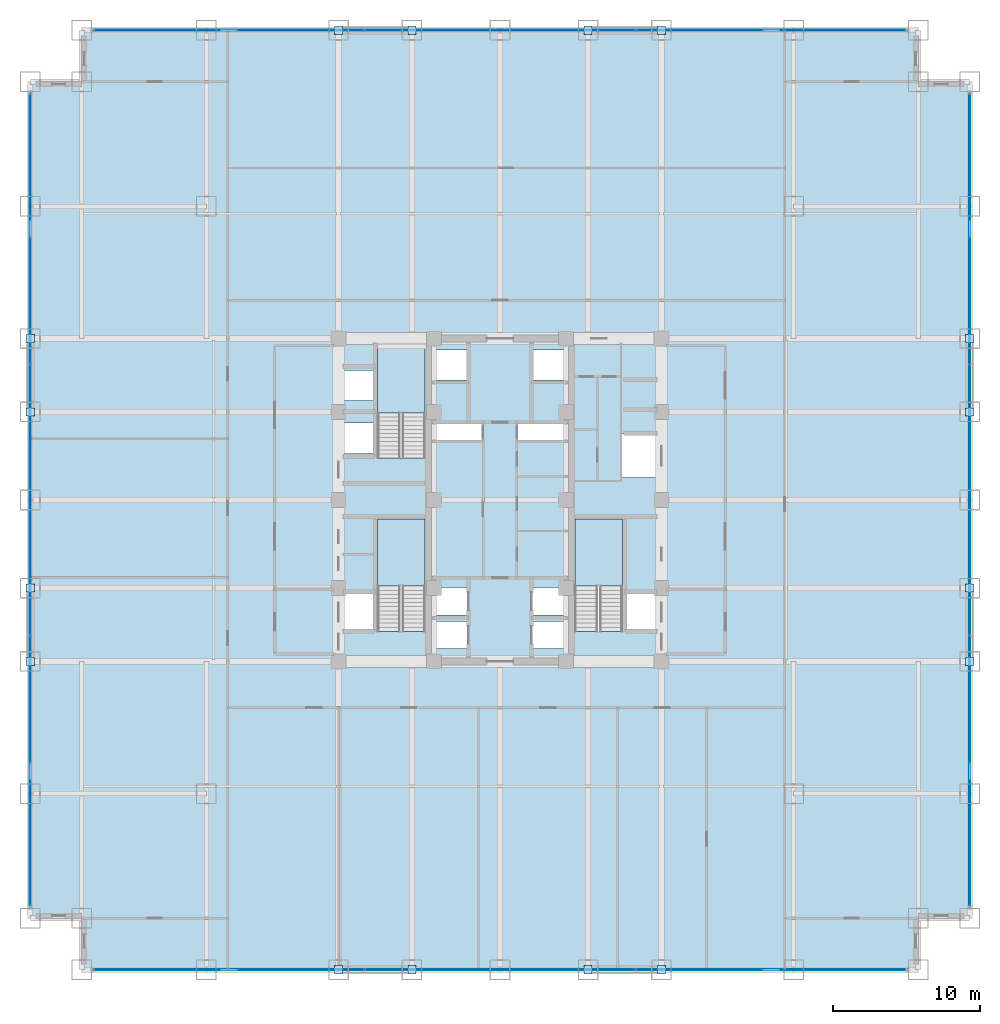
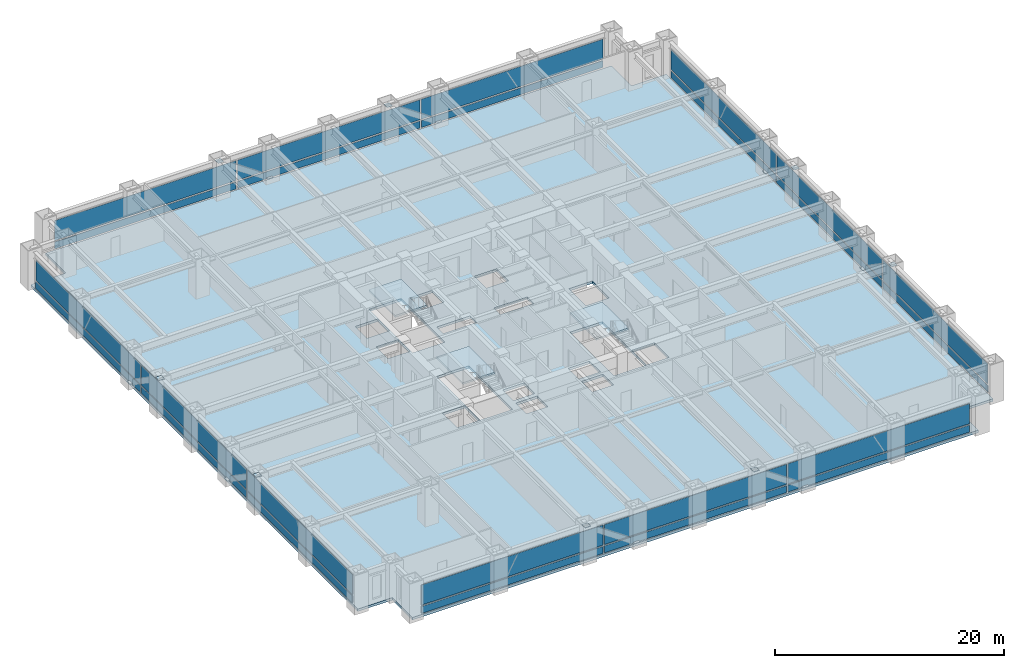
# One storey, part 22 of 27: 40 plates, 4 slabs, 7 elements without a shape of their own.
"""IFC4 building model written with IfcOpenShell, lengths in metres."""

from ifc_helpers import new_model, si_unit, direction, frame, origin, origin_2d, place, context, subcontext, project, spatial, polyline, rectangle, outline, extrude, source, transform, mapped, material, layer, layer_set, type_object, element, aggregate, save


model = new_model("IFC4")

# Units and contexts
model_context = context("Model", 3, precision=1e-05, world=origin(), true_north=direction((0.0, 1.0)))
body_context = subcontext(model_context, "Body", "Model", "MODEL_VIEW")
ifc_project = project(units=[si_unit("LENGTHUNIT", "METRE"), si_unit("AREAUNIT", "SQUARE_METRE"), si_unit("VOLUMEUNIT", "CUBIC_METRE"), si_unit("PLANEANGLEUNIT", "RADIAN"), si_unit("MASSUNIT", "GRAM", prefix="KILO")], contexts=[model_context])

# Site, building, storey
site_placement = place(None, origin())
site = spatial("IfcSite", under=ifc_project, at=site_placement, CompositionType="ELEMENT")
building_placement = place(site_placement, origin())
building = spatial("IfcBuilding", under=site, at=building_placement, Name="Khorayat Bourse Tower", CompositionType="ELEMENT")
storey_placement = place(building_placement, frame((0.0, 0.0, 45.199951171875)))
storey = spatial("IfcBuildingStorey", under=building, at=storey_placement, Name="L09", CompositionType="ELEMENT", Elevation=45.199951171875)

# Stair, slab
ifc_material_1 = material(Name="Concrete C40/50", Category="concrete")
stair_type = type_object("IfcStairType", Name="STR-CORE-1550", PredefinedType="HALF_TURN_STAIR", material=ifc_material_1)
stair_1_placement = place(storey_placement, origin())
stair_1 = element("IfcStair", 1, at=stair_1_placement, inside=storey, type_object=stair_type, Name="L09 Exit Stair ST-1", PredefinedType="HALF_TURN_STAIR")
ifc_layer_1 = layer(ifc_material_1, 0.199951171875)
ifc_layer_set_1 = layer_set([ifc_layer_1], Name="Concrete C40/50")
slab_type_1 = type_object("IfcSlabType", Name="SLB-LANDING-200", PredefinedType="LANDING", material=ifc_layer_set_1)
slab_1_placement = place(storey_placement, frame((0.0, 0.0, 1.900146484375)))
slab_1 = element("IfcSlab", 2, at=slab_1_placement, type_object=slab_type_1, Name="ST-1 landing 1", PredefinedType="LANDING", context=body_context, shape_type="SweptSolid", body=[
    extrude(outline(polyline([(-5.10009765625, -5.8701171875), (-5.10009765625, -1.300048828125), (-8.35009765625, -1.300048828125), (-8.35009765625, -5.8701171875), (-5.10009765625, -5.8701171875)])), origin(), (0.0, 0.0, 1.0), 0.199951171875),
])
aggregate(stair_1, [slab_1])

stair_2_placement = place(storey_placement, origin())
stair_2 = element("IfcStair", 3, at=stair_2_placement, inside=storey, type_object=stair_type, Name="L09 Exit Stair ST-2", PredefinedType="HALF_TURN_STAIR")
slab_2_placement = place(storey_placement, frame((0.0, 0.0, 1.900146484375)))
slab_2 = element("IfcSlab", 4, at=slab_2_placement, type_object=slab_type_1, Name="ST-2 landing 1", PredefinedType="LANDING", context=body_context, shape_type="SweptSolid", body=[
    extrude(outline(polyline([(-5.10009765625, 5.929931640625), (-5.10009765625, 10.5), (-8.35009765625, 10.5), (-8.35009765625, 5.929931640625), (-5.10009765625, 5.929931640625)])), origin(), (0.0, 0.0, 1.0), 0.199951171875),
])
aggregate(stair_2, [slab_2])

stair_3_placement = place(storey_placement, origin())
stair_3 = element("IfcStair", 5, at=stair_3_placement, inside=storey, type_object=stair_type, Name="L09 Exit Stair ST-3", PredefinedType="HALF_TURN_STAIR")
slab_3_placement = place(storey_placement, frame((0.0, 0.0, 1.900146484375)))
slab_3 = element("IfcSlab", 6, at=slab_3_placement, type_object=slab_type_1, Name="ST-3 landing 1", PredefinedType="LANDING", context=body_context, shape_type="SweptSolid", body=[
    extrude(outline(polyline([(8.35009765625, -5.8701171875), (8.35009765625, -1.300048828125), (5.10009765625, -1.300048828125), (5.10009765625, -5.8701171875), (8.35009765625, -5.8701171875)])), origin(), (0.0, 0.0, 1.0), 0.199951171875),
])
aggregate(stair_3, [slab_3])

# Slab
ifc_layer_2 = layer(ifc_material_1, 0.260009765625)
ifc_layer_set_2 = layer_set([ifc_layer_2], Name="Concrete C40/50")
slab_type_2 = type_object("IfcSlabType", Name="SLB-TRADE-260", PredefinedType="FLOOR", material=ifc_layer_set_2)
slab_4_placement = place(storey_placement, frame((0.0, 0.0, -0.260009765625)))
element("IfcSlab", 7, at=slab_4_placement, inside=storey, type_object=slab_type_2, Name="L09 Main Floor Slab", PredefinedType="FLOOR", context=body_context, shape_type="SweptSolid", body=[
    extrude(outline(polyline([(-28.5, -32.0), (28.5, -32.0), (28.5, -28.5), (32.0, -28.5), (32.0, 28.5), (28.5, 28.5), (28.5, 32.0), (-28.5, 32.0), (-28.5, 28.5), (-32.0, 28.5), (-32.0, -28.5), (-28.5, -28.5), (-28.5, -32.0)]), holes=[polyline([(-8.35009765625, -8.945068359375), (-5.10009765625, -8.945068359375), (-5.10009765625, -1.300048828125), (-8.35009765625, -1.300048828125), (-8.35009765625, -8.945068359375)]), polyline([(-8.35009765625, 2.85498046875), (-5.10009765625, 2.85498046875), (-5.10009765625, 10.5), (-8.35009765625, 10.5), (-8.35009765625, 2.85498046875)]), polyline([(5.10009765625, -8.945068359375), (8.35009765625, -8.945068359375), (8.35009765625, -1.300048828125), (5.10009765625, -1.300048828125), (5.10009765625, -8.945068359375)]), polyline([(-4.3798828125, -10.1298828125), (-2.219970703125, -10.1298828125), (-2.219970703125, -8.27001953125), (-4.3798828125, -8.27001953125), (-4.3798828125, -10.1298828125)]), polyline([(2.219970703125, -10.1298828125), (4.3798828125, -10.1298828125), (4.3798828125, -8.27001953125), (2.219970703125, -8.27001953125), (2.219970703125, -10.1298828125)]), polyline([(-4.3798828125, -7.830078125), (-2.219970703125, -7.830078125), (-2.219970703125, -5.969970703125), (-4.3798828125, -5.969970703125), (-4.3798828125, -7.830078125)]), polyline([(2.219970703125, -7.830078125), (4.3798828125, -7.830078125), (4.3798828125, -5.969970703125), (2.219970703125, -5.969970703125), (2.219970703125, -7.830078125)]), polyline([(-4.3798828125, 8.169921875), (-2.1201171875, 8.169921875), (-2.1201171875, 10.22998046875), (-4.3798828125, 10.22998046875), (-4.3798828125, 8.169921875)]), polyline([(2.1201171875, 8.169921875), (4.3798828125, 8.169921875), (4.3798828125, 10.22998046875), (2.1201171875, 10.22998046875), (2.1201171875, 8.169921875)]), polyline([(-10.679931640625, 3.169921875), (-8.419921875, 3.169921875), (-8.419921875, 5.22998046875), (-10.679931640625, 5.22998046875), (-10.679931640625, 3.169921875)]), polyline([(-10.679931640625, 6.77001953125), (-8.419921875, 6.77001953125), (-8.419921875, 8.830078125), (-10.679931640625, 8.830078125), (-10.679931640625, 6.77001953125)]), polyline([(-10.679931640625, -8.929931640625), (-8.419921875, -8.929931640625), (-8.419921875, -6.3701171875), (-10.679931640625, -6.3701171875), (-10.679931640625, -8.929931640625)]), polyline([(8.419921875, -8.929931640625), (10.679931640625, -8.929931640625), (10.679931640625, -6.3701171875), (8.419921875, -6.3701171875), (8.419921875, -8.929931640625)]), polyline([(8.320068359375, 1.52001953125), (10.679931640625, 1.52001953125), (10.679931640625, 4.47998046875), (8.320068359375, 4.47998046875), (8.320068359375, 1.52001953125)]), polyline([(-4.56005859375, 4.080078125), (-1.18994140625, 4.080078125), (-1.18994140625, 5.219970703125), (-4.56005859375, 5.219970703125), (-4.56005859375, 4.080078125)]), polyline([(1.18994140625, 4.080078125), (4.56005859375, 4.080078125), (4.56005859375, 5.219970703125), (1.18994140625, 5.219970703125), (1.18994140625, 4.080078125)])]), origin(), (0.0, 0.0, 1.0), 0.260009765625),
])

# Plates
ifc_material_2 = material(Name="Steel EN 10025-2 S355J2", Category="steel")
ifc_layer_3 = layer(ifc_material_2, 0.02490234375)
ifc_layer_set_3 = layer_set([ifc_layer_3], Name="Steel EN 10025-2 S355J2")
plate_type_1 = type_object("IfcPlateType", Name="PLT-ENDCAP-25", PredefinedType="SHEET", material=ifc_layer_set_3)
shared_shape_1 = source(origin(), body_context, "Body", "SweptSolid", [
    extrude(rectangle(XDim=0.56005859375, YDim=0.56005859375, at=origin_2d()), origin(), (0.0, 0.0, 1.0), 0.02490234375),
])
for number, where, z_axis, x_axis, name in (
    (8, (-11.0, -32.0, 3.677490234375), (0.0, 0.0, 1.0), (1.0, 0.0, 0.0), "L09 Perimeter Brace End Plate 001"),
    (9, (-6.0, -32.0, 0.237548828125), (0.0, 0.0, 1.0), (1.0, 0.0, 0.0), "L09 Perimeter Brace End Plate 002"),
    (10, (6.0, -32.0, 3.677490234375), (0.0, 0.0, 1.0), (1.0, 0.0, 0.0), "L09 Perimeter Brace End Plate 003"),
    (11, (11.0, -32.0, 0.237548828125), (0.0, 0.0, 1.0), (1.0, 0.0, 0.0), "L09 Perimeter Brace End Plate 004"),
    (12, (-11.0, 32.0, 3.677490234375), (0.0, 0.0, 1.0), (1.0, 0.0, 0.0), "L09 Perimeter Brace End Plate 005"),
    (13, (-6.0, 32.0, 0.237548828125), (0.0, 0.0, 1.0), (1.0, 0.0, 0.0), "L09 Perimeter Brace End Plate 006"),
    (14, (6.0, 32.0, 3.677490234375), (0.0, 0.0, 1.0), (1.0, 0.0, 0.0), "L09 Perimeter Brace End Plate 007"),
    (15, (11.0, 32.0, 0.237548828125), (0.0, 0.0, 1.0), (1.0, 0.0, 0.0), "L09 Perimeter Brace End Plate 008"),
    (16, (-32.0, -11.0, 3.677490234375), (0.0, 0.0, 1.0), (1.0, 0.0, 0.0), "L09 Perimeter Brace End Plate 009"),
    (17, (-32.0, -6.0, 0.237548828125), (0.0, 0.0, 1.0), (1.0, 0.0, 0.0), "L09 Perimeter Brace End Plate 010"),
    (18, (-32.0, 6.0, 3.677490234375), (0.0, 0.0, 1.0), (1.0, 0.0, 0.0), "L09 Perimeter Brace End Plate 011"),
    (19, (-32.0, 11.0, 0.237548828125), (0.0, 0.0, 1.0), (1.0, 0.0, 0.0), "L09 Perimeter Brace End Plate 012"),
    (20, (32.0, -11.0, 3.677490234375), (0.0, 0.0, 1.0), (1.0, 0.0, 0.0), "L09 Perimeter Brace End Plate 013"),
    (21, (32.0, -6.0, 0.237548828125), (0.0, 0.0, 1.0), (1.0, 0.0, 0.0), "L09 Perimeter Brace End Plate 014"),
    (22, (32.0, 6.0, 3.677490234375), (0.0, 0.0, 1.0), (1.0, 0.0, 0.0), "L09 Perimeter Brace End Plate 015"),
    (23, (32.0, 11.0, 0.237548828125), (0.0, 0.0, 1.0), (1.0, 0.0, 0.0), "L09 Perimeter Brace End Plate 016"),
):
    element("IfcPlate", number, at=place(storey_placement, frame(where, z_axis=z_axis, x_axis=x_axis)), inside=storey, type_object=plate_type_1, Name=name, PredefinedType="SHEET", context=body_context, shape_type="MappedRepresentation", body=[
        mapped(shared_shape_1, transform((0.0, 0.0, 0.0), scale=1.0)),
    ])

# Curtain wall, plates
ifc_material_3 = material(Name="Aluminium EN AW-6063 T6", Category="aluminium")
curtain_wall_type = type_object("IfcCurtainWallType", Name="CW-SYS-02", PredefinedType="NOTDEFINED", material=ifc_material_3)
curtain_wall_1_placement = place(storey_placement, origin())
curtain_wall_1 = element("IfcCurtainWall", 24, at=curtain_wall_1_placement, inside=storey, type_object=curtain_wall_type, Name="L09 Curtain Wall CW-L09-S1", PredefinedType="NOTDEFINED")
ifc_material_4 = material(Name="Honed desert limestone insulated spandrel", Category="masonry")
ifc_layer_4 = layer(ifc_material_4, 0.06494140625)
ifc_layer_set_4 = layer_set([ifc_layer_4], Name="Honed desert limestone insulated spandrel")
plate_type_2 = type_object("IfcPlateType", Name="CWP-SPAND-03", PredefinedType="CURTAIN_PANEL", material=ifc_layer_set_4)
shared_shape_2 = source(origin(), body_context, "Body", "SweptSolid", [
    extrude(rectangle(XDim=18.2900390625, YDim=0.06494140625, at=origin_2d()), origin(), (0.0, 0.0, 1.0), 0.739990234375),
])
plate_1_placement = place(storey_placement, frame((-18.465087890625, -32.0, 0.14013671875), z_axis=(0.0, 0.0, 1.0), x_axis=(1.0, 0.0, 0.0)))
plate_1 = element("IfcPlate", 25, at=plate_1_placement, type_object=plate_type_2, Name="CW-L09-S1 Spandrel Panel 1-1", PredefinedType="CURTAIN_PANEL", context=body_context, shape_type="MappedRepresentation", body=[
    mapped(shared_shape_2, transform((0.0, 0.0, 0.0), scale=1.0)),
])
plate_2_placement = place(storey_placement, frame((18.465087890625, -32.0, 0.14013671875), z_axis=(0.0, 0.0, 1.0), x_axis=(1.0, 0.0, 0.0)))
plate_2 = element("IfcPlate", 26, at=plate_2_placement, type_object=plate_type_2, Name="CW-L09-S1 Spandrel Panel 3-1", PredefinedType="CURTAIN_PANEL", context=body_context, shape_type="MappedRepresentation", body=[
    mapped(shared_shape_2, transform((0.0, 0.0, 0.0), scale=1.0)),
])

curtain_wall_2_placement = place(storey_placement, origin())
curtain_wall_2 = element("IfcCurtainWall", 27, at=curtain_wall_2_placement, inside=storey, type_object=curtain_wall_type, Name="L09 Curtain Wall CW-L09-N1", PredefinedType="NOTDEFINED")
plate_3_placement = place(storey_placement, frame((-18.465087890625, 32.0, 0.14013671875), z_axis=(0.0, 0.0, 1.0), x_axis=(1.0, 0.0, 0.0)))
plate_3 = element("IfcPlate", 28, at=plate_3_placement, type_object=plate_type_2, Name="CW-L09-N1 Spandrel Panel 1-1", PredefinedType="CURTAIN_PANEL", context=body_context, shape_type="MappedRepresentation", body=[
    mapped(shared_shape_2, transform((0.0, 0.0, 0.0), scale=1.0)),
])
plate_4_placement = place(storey_placement, frame((18.465087890625, 32.0, 0.14013671875), z_axis=(0.0, 0.0, 1.0), x_axis=(1.0, 0.0, 0.0)))
plate_4 = element("IfcPlate", 29, at=plate_4_placement, type_object=plate_type_2, Name="CW-L09-N1 Spandrel Panel 3-1", PredefinedType="CURTAIN_PANEL", context=body_context, shape_type="MappedRepresentation", body=[
    mapped(shared_shape_2, transform((0.0, 0.0, 0.0), scale=1.0)),
])

curtain_wall_3_placement = place(storey_placement, origin())
curtain_wall_3 = element("IfcCurtainWall", 30, at=curtain_wall_3_placement, inside=storey, type_object=curtain_wall_type, Name="L09 Curtain Wall CW-L09-W1", PredefinedType="NOTDEFINED")
plate_5_placement = place(storey_placement, frame((-32.0, -18.465087890625, 0.14013671875), z_axis=(0.0, 0.0, 1.0), x_axis=(0.0, 1.0, 0.0)))
plate_5 = element("IfcPlate", 31, at=plate_5_placement, type_object=plate_type_2, Name="CW-L09-W1 Spandrel Panel 1-1", PredefinedType="CURTAIN_PANEL", context=body_context, shape_type="MappedRepresentation", body=[
    mapped(shared_shape_2, transform((0.0, 0.0, 0.0), scale=1.0)),
])
plate_6_placement = place(storey_placement, frame((-32.0, 18.465087890625, 0.14013671875), z_axis=(0.0, 0.0, 1.0), x_axis=(0.0, 1.0, 0.0)))
plate_6 = element("IfcPlate", 32, at=plate_6_placement, type_object=plate_type_2, Name="CW-L09-W1 Spandrel Panel 3-1", PredefinedType="CURTAIN_PANEL", context=body_context, shape_type="MappedRepresentation", body=[
    mapped(shared_shape_2, transform((0.0, 0.0, 0.0), scale=1.0)),
])

curtain_wall_4_placement = place(storey_placement, origin())
curtain_wall_4 = element("IfcCurtainWall", 33, at=curtain_wall_4_placement, inside=storey, type_object=curtain_wall_type, Name="L09 Curtain Wall CW-L09-E1", PredefinedType="NOTDEFINED")
plate_7_placement = place(storey_placement, frame((32.0, -18.465087890625, 0.14013671875), z_axis=(0.0, 0.0, 1.0), x_axis=(0.0, 1.0, 0.0)))
plate_7 = element("IfcPlate", 34, at=plate_7_placement, type_object=plate_type_2, Name="CW-L09-E1 Spandrel Panel 1-1", PredefinedType="CURTAIN_PANEL", context=body_context, shape_type="MappedRepresentation", body=[
    mapped(shared_shape_2, transform((0.0, 0.0, 0.0), scale=1.0)),
])
plate_8_placement = place(storey_placement, frame((32.0, 18.465087890625, 0.14013671875), z_axis=(0.0, 0.0, 1.0), x_axis=(0.0, 1.0, 0.0)))
plate_8 = element("IfcPlate", 35, at=plate_8_placement, type_object=plate_type_2, Name="CW-L09-E1 Spandrel Panel 3-1", PredefinedType="CURTAIN_PANEL", context=body_context, shape_type="MappedRepresentation", body=[
    mapped(shared_shape_2, transform((0.0, 0.0, 0.0), scale=1.0)),
])

# Plate
ifc_material_5 = material(Name="Low-E solar-control laminated double glazing", Category="glass")
ifc_layer_5 = layer(ifc_material_5, 0.0419921875)
ifc_layer_set_5 = layer_set([ifc_layer_5], Name="Low-E solar-control laminated double glazing")
plate_type_3 = type_object("IfcPlateType", Name="CWP-FACET-02", PredefinedType="CURTAIN_PANEL", material=ifc_layer_set_5)
shared_shape_3 = source(origin(), body_context, "Body", "SweptSolid", [
    extrude(rectangle(XDim=18.2900390625, YDim=0.0419921875, at=origin_2d()), origin(), (0.0, 0.0, 1.0), 2.1298828125),
])
plate_9_placement = place(storey_placement, frame((-18.465087890625, -32.0, 1.02001953125), z_axis=(0.0, 0.0, 1.0), x_axis=(1.0, 0.0, 0.0)))
plate_9 = element("IfcPlate", 36, at=plate_9_placement, type_object=plate_type_3, Name="CW-L09-S1 Vision Panel 1-2", PredefinedType="CURTAIN_PANEL", context=body_context, shape_type="MappedRepresentation", body=[
    mapped(shared_shape_3, transform((0.0, 0.0, 0.0), scale=1.0)),
])

plate_10_placement = place(storey_placement, frame((18.465087890625, -32.0, 1.02001953125), z_axis=(0.0, 0.0, 1.0), x_axis=(1.0, 0.0, 0.0)))
plate_10 = element("IfcPlate", 37, at=plate_10_placement, type_object=plate_type_3, Name="CW-L09-S1 Vision Panel 3-2", PredefinedType="CURTAIN_PANEL", context=body_context, shape_type="MappedRepresentation", body=[
    mapped(shared_shape_3, transform((0.0, 0.0, 0.0), scale=1.0)),
])

plate_11_placement = place(storey_placement, frame((-18.465087890625, 32.0, 1.02001953125), z_axis=(0.0, 0.0, 1.0), x_axis=(1.0, 0.0, 0.0)))
plate_11 = element("IfcPlate", 38, at=plate_11_placement, type_object=plate_type_3, Name="CW-L09-N1 Vision Panel 1-2", PredefinedType="CURTAIN_PANEL", context=body_context, shape_type="MappedRepresentation", body=[
    mapped(shared_shape_3, transform((0.0, 0.0, 0.0), scale=1.0)),
])

plate_12_placement = place(storey_placement, frame((18.465087890625, 32.0, 1.02001953125), z_axis=(0.0, 0.0, 1.0), x_axis=(1.0, 0.0, 0.0)))
plate_12 = element("IfcPlate", 39, at=plate_12_placement, type_object=plate_type_3, Name="CW-L09-N1 Vision Panel 3-2", PredefinedType="CURTAIN_PANEL", context=body_context, shape_type="MappedRepresentation", body=[
    mapped(shared_shape_3, transform((0.0, 0.0, 0.0), scale=1.0)),
])

plate_13_placement = place(storey_placement, frame((-32.0, -18.465087890625, 1.02001953125), z_axis=(0.0, 0.0, 1.0), x_axis=(0.0, 1.0, 0.0)))
plate_13 = element("IfcPlate", 40, at=plate_13_placement, type_object=plate_type_3, Name="CW-L09-W1 Vision Panel 1-2", PredefinedType="CURTAIN_PANEL", context=body_context, shape_type="MappedRepresentation", body=[
    mapped(shared_shape_3, transform((0.0, 0.0, 0.0), scale=1.0)),
])

plate_14_placement = place(storey_placement, frame((-32.0, 18.465087890625, 1.02001953125), z_axis=(0.0, 0.0, 1.0), x_axis=(0.0, 1.0, 0.0)))
plate_14 = element("IfcPlate", 41, at=plate_14_placement, type_object=plate_type_3, Name="CW-L09-W1 Vision Panel 3-2", PredefinedType="CURTAIN_PANEL", context=body_context, shape_type="MappedRepresentation", body=[
    mapped(shared_shape_3, transform((0.0, 0.0, 0.0), scale=1.0)),
])

plate_15_placement = place(storey_placement, frame((32.0, -18.465087890625, 1.02001953125), z_axis=(0.0, 0.0, 1.0), x_axis=(0.0, 1.0, 0.0)))
plate_15 = element("IfcPlate", 42, at=plate_15_placement, type_object=plate_type_3, Name="CW-L09-E1 Vision Panel 1-2", PredefinedType="CURTAIN_PANEL", context=body_context, shape_type="MappedRepresentation", body=[
    mapped(shared_shape_3, transform((0.0, 0.0, 0.0), scale=1.0)),
])

plate_16_placement = place(storey_placement, frame((32.0, 18.465087890625, 1.02001953125), z_axis=(0.0, 0.0, 1.0), x_axis=(0.0, 1.0, 0.0)))
plate_16 = element("IfcPlate", 43, at=plate_16_placement, type_object=plate_type_3, Name="CW-L09-E1 Vision Panel 3-2", PredefinedType="CURTAIN_PANEL", context=body_context, shape_type="MappedRepresentation", body=[
    mapped(shared_shape_3, transform((0.0, 0.0, 0.0), scale=1.0)),
])

shared_shape_4 = source(origin(), body_context, "Body", "SweptSolid", [
    extrude(rectangle(XDim=18.360107421875, YDim=0.06494140625, at=origin_2d()), origin(), (0.0, 0.0, 1.0), 0.739990234375),
])
plate_17_placement = place(storey_placement, frame((0.0, -32.0, 0.14013671875), z_axis=(0.0, 0.0, 1.0), x_axis=(1.0, 0.0, 0.0)))
plate_17 = element("IfcPlate", 44, at=plate_17_placement, type_object=plate_type_2, Name="CW-L09-S1 Spandrel Panel 2-1", PredefinedType="CURTAIN_PANEL", context=body_context, shape_type="MappedRepresentation", body=[
    mapped(shared_shape_4, transform((0.0, 0.0, 0.0), scale=1.0)),
])

plate_18_placement = place(storey_placement, frame((0.0, 32.0, 0.14013671875), z_axis=(0.0, 0.0, 1.0), x_axis=(1.0, 0.0, 0.0)))
plate_18 = element("IfcPlate", 45, at=plate_18_placement, type_object=plate_type_2, Name="CW-L09-N1 Spandrel Panel 2-1", PredefinedType="CURTAIN_PANEL", context=body_context, shape_type="MappedRepresentation", body=[
    mapped(shared_shape_4, transform((0.0, 0.0, 0.0), scale=1.0)),
])

plate_19_placement = place(storey_placement, frame((-32.0, 0.0, 0.14013671875), z_axis=(0.0, 0.0, 1.0), x_axis=(0.0, 1.0, 0.0)))
plate_19 = element("IfcPlate", 46, at=plate_19_placement, type_object=plate_type_2, Name="CW-L09-W1 Spandrel Panel 2-1", PredefinedType="CURTAIN_PANEL", context=body_context, shape_type="MappedRepresentation", body=[
    mapped(shared_shape_4, transform((0.0, 0.0, 0.0), scale=1.0)),
])

plate_20_placement = place(storey_placement, frame((32.0, 0.0, 0.14013671875), z_axis=(0.0, 0.0, 1.0), x_axis=(0.0, 1.0, 0.0)))
plate_20 = element("IfcPlate", 47, at=plate_20_placement, type_object=plate_type_2, Name="CW-L09-E1 Spandrel Panel 2-1", PredefinedType="CURTAIN_PANEL", context=body_context, shape_type="MappedRepresentation", body=[
    mapped(shared_shape_4, transform((0.0, 0.0, 0.0), scale=1.0)),
])

shared_shape_5 = source(origin(), body_context, "Body", "SweptSolid", [
    extrude(rectangle(XDim=18.360107421875, YDim=0.0419921875, at=origin_2d()), origin(), (0.0, 0.0, 1.0), 2.1298828125),
])
plate_21_placement = place(storey_placement, frame((0.0, -32.0, 1.02001953125), z_axis=(0.0, 0.0, 1.0), x_axis=(1.0, 0.0, 0.0)))
plate_21 = element("IfcPlate", 48, at=plate_21_placement, type_object=plate_type_3, Name="CW-L09-S1 Vision Panel 2-2", PredefinedType="CURTAIN_PANEL", context=body_context, shape_type="MappedRepresentation", body=[
    mapped(shared_shape_5, transform((0.0, 0.0, 0.0), scale=1.0)),
])

aggregate(curtain_wall_1, [plate_1, plate_9, plate_17, plate_21, plate_2, plate_10])

plate_22_placement = place(storey_placement, frame((0.0, 32.0, 1.02001953125), z_axis=(0.0, 0.0, 1.0), x_axis=(1.0, 0.0, 0.0)))
plate_22 = element("IfcPlate", 49, at=plate_22_placement, type_object=plate_type_3, Name="CW-L09-N1 Vision Panel 2-2", PredefinedType="CURTAIN_PANEL", context=body_context, shape_type="MappedRepresentation", body=[
    mapped(shared_shape_5, transform((0.0, 0.0, 0.0), scale=1.0)),
])

aggregate(curtain_wall_2, [plate_3, plate_11, plate_18, plate_22, plate_4, plate_12])

plate_23_placement = place(storey_placement, frame((-32.0, 0.0, 1.02001953125), z_axis=(0.0, 0.0, 1.0), x_axis=(0.0, 1.0, 0.0)))
plate_23 = element("IfcPlate", 50, at=plate_23_placement, type_object=plate_type_3, Name="CW-L09-W1 Vision Panel 2-2", PredefinedType="CURTAIN_PANEL", context=body_context, shape_type="MappedRepresentation", body=[
    mapped(shared_shape_5, transform((0.0, 0.0, 0.0), scale=1.0)),
])

aggregate(curtain_wall_3, [plate_5, plate_13, plate_19, plate_23, plate_6, plate_14])

plate_24_placement = place(storey_placement, frame((32.0, 0.0, 1.02001953125), z_axis=(0.0, 0.0, 1.0), x_axis=(0.0, 1.0, 0.0)))
plate_24 = element("IfcPlate", 51, at=plate_24_placement, type_object=plate_type_3, Name="CW-L09-E1 Vision Panel 2-2", PredefinedType="CURTAIN_PANEL", context=body_context, shape_type="MappedRepresentation", body=[
    mapped(shared_shape_5, transform((0.0, 0.0, 0.0), scale=1.0)),
])

aggregate(curtain_wall_4, [plate_7, plate_15, plate_20, plate_24, plate_8, plate_16])

save(model, "model.ifc")
